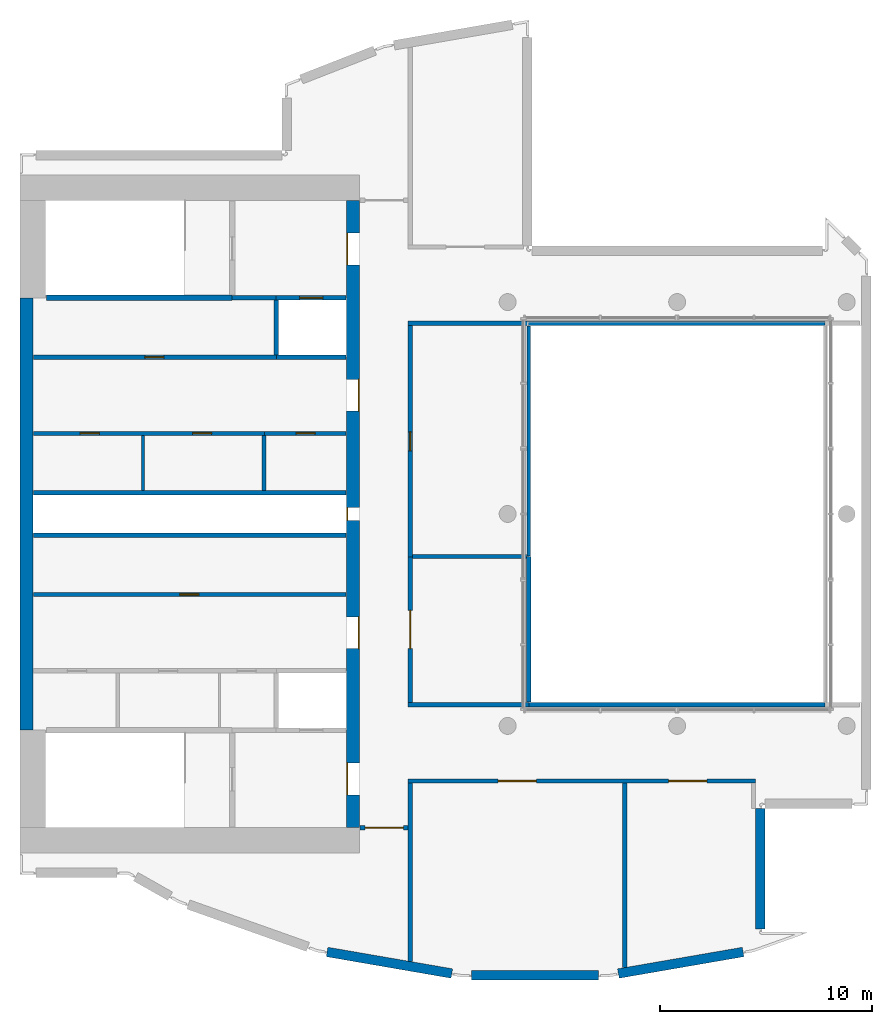
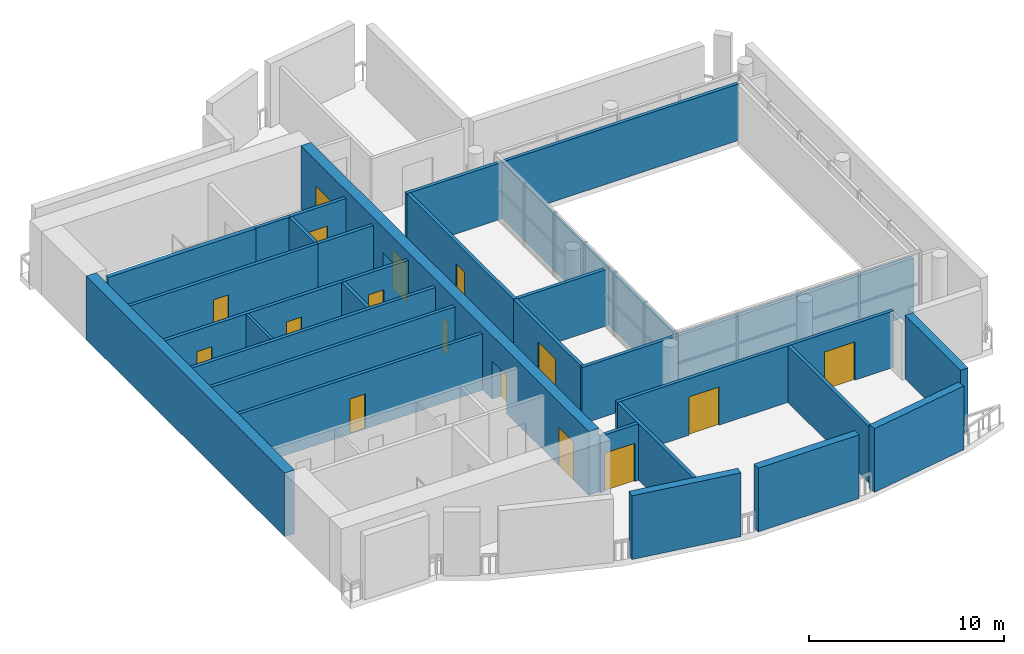
# One storey, part 4 of 6: 31 walls, 16 doors, 16 openings.
"""IFC4 building model written with IfcOpenShell, lengths in metres."""

from ifc_helpers import new_model, si_unit, direction, frame, frame_2d, origin, place, context, subcontext, project, spatial, rectangle, extrude, material, layer, layer_set, type_object, element, fill, save


model = new_model("IFC4")

# Units and contexts
model_context = context("Model", 3, precision=1e-05, world=origin(), true_north=direction((0.0, 1.0)))
body_context = subcontext(model_context, "Body", "Model", "MODEL_VIEW")
ifc_project = project(units=[si_unit("LENGTHUNIT", "METRE"), si_unit("AREAUNIT", "SQUARE_METRE"), si_unit("VOLUMEUNIT", "CUBIC_METRE"), si_unit("PLANEANGLEUNIT", "RADIAN"), si_unit("MASSUNIT", "GRAM", prefix="KILO")], contexts=[model_context])

# Site, building, storey
site_placement = place(None, origin())
site = spatial("IfcSite", under=ifc_project, at=site_placement, CompositionType="ELEMENT")
building_placement = place(site_placement, origin())
building = spatial("IfcBuilding", under=site, at=building_placement, Name="Cypress Arch Tower", CompositionType="ELEMENT")
storey_placement = place(building_placement, frame((0.0, 0.0, 355.0)))
storey = spatial("IfcBuildingStorey", under=building, at=storey_placement, Name="L81", CompositionType="ELEMENT", Elevation=355.0)

# Walls
ifc_material_1 = material(Name="Brick (red buff blend)", Category="masonry")
ifc_layer_1 = layer(ifc_material_1, 0.449951171875)
ifc_layer_set_1 = layer_set([ifc_layer_1], Name="Brick belt wall BW450-B")
wall_type_1 = type_object("IfcWallType", Name="Brick belt wall BW450-B", PredefinedType="SOLIDWALL", material=ifc_layer_set_1)
wall_1_placement = place(storey_placement, frame((-15.5185546875, -20.6669921875, 0.0), z_axis=(0.0, 0.0, 1.0), x_axis=(0.985396567064, -0.170275088074, 0.0)))
element("IfcWall", 1, at=wall_1_placement, inside=storey, type_object=wall_type_1, Name="Brick wall L81 K03.0", PredefinedType="SOLIDWALL", context=body_context, shape_type="SweptSolid", body=[
    extrude(rectangle(XDim=5.97314453125, YDim=0.449951171875, at=frame_2d((2.986572265625, 0.0))), origin(), (0.0, 0.0, 1.0), 4.0),
])
wall_2_placement = place(storey_placement, frame((-8.6943359375, -21.764892578125, 0.0), z_axis=(0.0, 0.0, 1.0), x_axis=(1.0, 0.0, 0.0)))
element("IfcWall", 2, at=wall_2_placement, inside=storey, type_object=wall_type_1, Name="Brick wall L81 K04.0", PredefinedType="SOLIDWALL", context=body_context, shape_type="SweptSolid", body=[
    extrude(rectangle(XDim=5.98193359375, YDim=0.449951171875, at=frame_2d((2.990966796875, 0.0))), origin(), (0.0, 0.0, 1.0), 4.0),
])
wall_3_placement = place(storey_placement, frame((-1.77392578125, -21.68505859375, 0.0), z_axis=(0.0, 0.0, 1.0), x_axis=(0.985403424257, 0.170235400142, 0.0)))
element("IfcWall", 3, at=wall_3_placement, inside=storey, type_object=wall_type_1, Name="Brick wall L81 K05.0", PredefinedType="SOLIDWALL", context=body_context, shape_type="SweptSolid", body=[
    extrude(rectangle(XDim=5.97314453125, YDim=0.449951171875, at=frame_2d((2.986572265625, 0.0))), origin(), (0.0, 0.0, 1.0), 4.0),
])
wall_4_placement = place(storey_placement, frame((4.925048828125, -19.590087890625, 0.0), z_axis=(0.0, 0.0, 1.0), x_axis=(0.0, 1.0, 0.0)))
element("IfcWall", 4, at=wall_4_placement, inside=storey, type_object=wall_type_1, Name="Brick wall L81 K08.0", PredefinedType="SOLIDWALL", context=body_context, shape_type="SweptSolid", body=[
    extrude(rectangle(XDim=5.7001953125, YDim=0.449951171875, at=frame_2d((2.85009765625, 0.0))), origin(), (0.0, 0.0, 1.0), 4.0),
])

# Wall, openings, doors
ifc_material_2 = material(Name="Concrete C50/60", Category="concrete")
ifc_layer_2 = layer(ifc_material_2, 0.60009765625)
ifc_layer_set_2 = layer_set([ifc_layer_2], Name="Core wall CW600 C50/60")
wall_type_2 = type_object("IfcWallType", Name="Core wall CW600 C50/60", PredefinedType="SHEAR", material=ifc_layer_set_2)
wall_5_placement = place(storey_placement, frame((-14.300048828125, -14.800048828125, 0.0), z_axis=(0.0, 0.0, 1.0), x_axis=(0.0, 1.0, 0.0)))
wall_5 = element("IfcWall", 5, at=wall_5_placement, inside=storey, type_object=wall_type_2, Name="Core wall", PredefinedType="SHEAR", context=body_context, shape_type="SweptSolid", body=[
    extrude(rectangle(XDim=29.60009765625, YDim=0.60009765625, at=frame_2d((14.800048828125, 0.0))), origin(), (0.0, 0.0, 1.0), 4.0),
])
opening_1_placement = place(wall_5_placement, frame((1.550048828125, 0.0, 0.0)))
opening_1 = element("IfcOpeningElement", 6, at=opening_1_placement, cuts=wall_5, Name="Opening D07", PredefinedType="OPENING", context=body_context, shape_type="SweptSolid", body=[
    extrude(rectangle(XDim=1.5, YDim=2.39990234375, at=frame_2d((0.75, 1.199951171875))), frame((0.0, 0.31005859375, 0.0), z_axis=(0.0, -1.0, 0.0), x_axis=(1.0, 0.0, 0.0)), (0.0, 0.0, 1.0), 0.6201171875),
])
opening_2_placement = place(wall_5_placement, frame((26.550048828125, 0.0, 0.0)))
opening_2 = element("IfcOpeningElement", 7, at=opening_2_placement, cuts=wall_5, Name="Opening D07", PredefinedType="OPENING", context=body_context, shape_type="SweptSolid", body=[
    extrude(rectangle(XDim=1.5, YDim=2.39990234375, at=frame_2d((0.75, 1.199951171875))), frame((0.0, 0.31005859375, 0.0), z_axis=(0.0, -1.0, 0.0), x_axis=(1.0, 0.0, 0.0)), (0.0, 0.0, 1.0), 0.6201171875),
])
opening_3_placement = place(wall_5_placement, frame((8.449951171875, 0.0, 0.0)))
opening_3 = element("IfcOpeningElement", 8, at=opening_3_placement, cuts=wall_5, Name="Opening D07", PredefinedType="OPENING", context=body_context, shape_type="SweptSolid", body=[
    extrude(rectangle(XDim=1.5, YDim=2.39990234375, at=frame_2d((0.75, 1.199951171875))), frame((0.0, 0.31005859375, 0.0), z_axis=(0.0, -1.0, 0.0), x_axis=(1.0, 0.0, 0.0)), (0.0, 0.0, 1.0), 0.6201171875),
])
opening_4_placement = place(wall_5_placement, frame((19.64990234375, 0.0, 0.0)))
opening_4 = element("IfcOpeningElement", 9, at=opening_4_placement, cuts=wall_5, Name="Opening D07", PredefinedType="OPENING", context=body_context, shape_type="SweptSolid", body=[
    extrude(rectangle(XDim=1.5, YDim=2.39990234375, at=frame_2d((0.75, 1.199951171875))), frame((0.0, 0.31005859375, 0.0), z_axis=(0.0, -1.0, 0.0), x_axis=(1.0, 0.0, 0.0)), (0.0, 0.0, 1.0), 0.6201171875),
])
opening_5_placement = place(wall_5_placement, frame((14.5, 0.0, 0.0)))
opening_5 = element("IfcOpeningElement", 10, at=opening_5_placement, cuts=wall_5, Name="Opening D08", PredefinedType="OPENING", context=body_context, shape_type="SweptSolid", body=[
    extrude(rectangle(XDim=0.60009765625, YDim=2.0, at=frame_2d((0.300048828125, 1.0))), frame((0.0, 0.31005859375, 0.0), z_axis=(0.0, -1.0, 0.0), x_axis=(1.0, 0.0, 0.0)), (0.0, 0.0, 1.0), 0.6201171875),
])
ifc_material_3 = material(Name="Steel framed glazed door, fire resisting", Category="steel")
door_type_1 = type_object("IfcDoorType", Name="Lobby door D07 1500x2400", OperationType="DOUBLE_DOOR_SINGLE_SWING", PredefinedType="DOOR", material=ifc_material_3)
door_1_placement = place(opening_1_placement, origin())
door_1 = element("IfcDoor", 11, at=door_1_placement, inside=storey, type_object=door_type_1, Name="Lobby door", OperationType="DOUBLE_DOOR_SINGLE_SWING", OverallHeight=2.39990234375, OverallWidth=1.5, PredefinedType="DOOR", context=body_context, shape_type="SweptSolid", body=[
    extrude(rectangle(XDim=1.5, YDim=2.39990234375, at=frame_2d((0.75, 1.199951171875))), frame((0.0, 0.294921875, 0.0), z_axis=(0.0, -1.0, 0.0), x_axis=(1.0, 0.0, 0.0)), (0.0, 0.0, 1.0), 0.050048828125),
])
fill(opening_1, door_1)
door_2_placement = place(opening_2_placement, origin())
door_2 = element("IfcDoor", 12, at=door_2_placement, inside=storey, type_object=door_type_1, Name="Lobby door", OperationType="DOUBLE_DOOR_SINGLE_SWING", OverallHeight=2.39990234375, OverallWidth=1.5, PredefinedType="DOOR", context=body_context, shape_type="SweptSolid", body=[
    extrude(rectangle(XDim=1.5, YDim=2.39990234375, at=frame_2d((0.75, 1.199951171875))), frame((0.0, 0.294921875, 0.0), z_axis=(0.0, -1.0, 0.0), x_axis=(1.0, 0.0, 0.0)), (0.0, 0.0, 1.0), 0.050048828125),
])
fill(opening_2, door_2)
door_3_placement = place(opening_3_placement, origin())
door_3 = element("IfcDoor", 13, at=door_3_placement, inside=storey, type_object=door_type_1, Name="Lobby door", OperationType="DOUBLE_DOOR_SINGLE_SWING", OverallHeight=2.39990234375, OverallWidth=1.5, PredefinedType="DOOR", context=body_context, shape_type="SweptSolid", body=[
    extrude(rectangle(XDim=1.5, YDim=2.39990234375, at=frame_2d((0.75, 1.199951171875))), frame((0.0, -0.2451171875, 0.0), z_axis=(0.0, -1.0, 0.0), x_axis=(1.0, 0.0, 0.0)), (0.0, 0.0, 1.0), 0.050048828125),
])
fill(opening_3, door_3)
door_4_placement = place(opening_4_placement, origin())
door_4 = element("IfcDoor", 14, at=door_4_placement, inside=storey, type_object=door_type_1, Name="Lobby door", OperationType="DOUBLE_DOOR_SINGLE_SWING", OverallHeight=2.39990234375, OverallWidth=1.5, PredefinedType="DOOR", context=body_context, shape_type="SweptSolid", body=[
    extrude(rectangle(XDim=1.5, YDim=2.39990234375, at=frame_2d((0.75, 1.199951171875))), frame((0.0, -0.2451171875, 0.0), z_axis=(0.0, -1.0, 0.0), x_axis=(1.0, 0.0, 0.0)), (0.0, 0.0, 1.0), 0.050048828125),
])
fill(opening_4, door_4)
ifc_material_4 = material(Name="Steel access door, fire resisting", Category="steel")
door_type_2 = type_object("IfcDoorType", Name="Riser access door D08 600x2000", OperationType="SINGLE_SWING_LEFT", PredefinedType="DOOR", material=ifc_material_4)
door_5_placement = place(opening_5_placement, origin())
door_5 = element("IfcDoor", 15, at=door_5_placement, inside=storey, type_object=door_type_2, Name="Riser access door", OperationType="SINGLE_SWING_RIGHT", OverallHeight=2.0, OverallWidth=0.60009765625, PredefinedType="DOOR", context=body_context, shape_type="SweptSolid", body=[
    extrude(rectangle(XDim=0.60009765625, YDim=2.0, at=frame_2d((0.300048828125, 1.0))), frame((0.0, 0.294921875, 0.0), z_axis=(0.0, -1.0, 0.0), x_axis=(1.0, 0.0, 0.0)), (0.0, 0.0, 1.0), 0.050048828125),
])
fill(opening_5, door_5)

# Wall
wall_6_placement = place(storey_placement, frame((-29.699951171875, -10.199951171875, 0.0), z_axis=(0.0, 0.0, 1.0), x_axis=(0.0, 1.0, 0.0)))
element("IfcWall", 16, at=wall_6_placement, inside=storey, type_object=wall_type_2, Name="Core wall", PredefinedType="SHEAR", context=body_context, shape_type="SweptSolid", body=[
    extrude(rectangle(XDim=20.39990234375, YDim=0.60009765625, at=frame_2d((10.199951171875, 0.0))), origin(), (0.0, 0.0, 1.0), 4.0),
])

# Wall, opening, door
ifc_material_5 = material(Name="Concrete blockwork, plastered, rated", Category="masonry")
ifc_layer_3 = layer(ifc_material_5, 0.199951171875)
ifc_layer_set_3 = layer_set([ifc_layer_3], Name="Corridor wall FW200")
wall_type_3 = type_object("IfcWallType", Name="Corridor wall FW200", PredefinedType="PARTITIONING", material=ifc_layer_set_3)
wall_7_placement = place(storey_placement, frame((-29.3701171875, -3.800048828125, 0.0), z_axis=(0.0, 0.0, 1.0), x_axis=(1.0, 0.0, 0.0)))
wall_7 = element("IfcWall", 17, at=wall_7_placement, inside=storey, type_object=wall_type_3, Name="Corridor wall", PredefinedType="PARTITIONING", context=body_context, shape_type="SweptSolid", body=[
    extrude(rectangle(XDim=14.740234375, YDim=0.199951171875, at=frame_2d((7.3701171875, 0.0))), origin(), (0.0, 0.0, 1.0), 3.548095703125),
])
opening_6_placement = place(wall_7_placement, frame((6.89990234375, 0.0, 0.0)))
opening_6 = element("IfcOpeningElement", 18, at=opening_6_placement, cuts=wall_7, Name="Opening D05", PredefinedType="OPENING", context=body_context, shape_type="SweptSolid", body=[
    extrude(rectangle(XDim=0.89990234375, YDim=2.199951171875, at=frame_2d((0.449951171875, 1.10009765625))), frame((0.0, 0.10986328125, 0.0), z_axis=(0.0, -1.0, 0.0), x_axis=(1.0, 0.0, 0.0)), (0.0, 0.0, 1.0), 0.219970703125),
])
ifc_material_6 = material(Name="Timber flush door", Category="wood")
door_type_3 = type_object("IfcDoorType", Name="Service door D05 900x2200", OperationType="SINGLE_SWING_LEFT", PredefinedType="DOOR", material=ifc_material_6)
door_6_placement = place(opening_6_placement, origin())
door_6 = element("IfcDoor", 19, at=door_6_placement, inside=storey, type_object=door_type_3, Name="Service door", OperationType="SINGLE_SWING_LEFT", OverallHeight=2.199951171875, OverallWidth=0.89990234375, PredefinedType="DOOR", context=body_context, shape_type="SweptSolid", body=[
    extrude(rectangle(XDim=0.89990234375, YDim=2.199951171875, at=frame_2d((0.449951171875, 1.10009765625))), frame((0.0, 0.02490234375, 0.0), z_axis=(0.0, -1.0, 0.0), x_axis=(1.0, 0.0, 0.0)), (0.0, 0.0, 1.0), 0.050048828125),
])
fill(opening_6, door_6)

# Wall, openings, doors
wall_8_placement = place(storey_placement, frame((-29.3701171875, 3.800048828125, 0.0), z_axis=(0.0, 0.0, 1.0), x_axis=(1.0, 0.0, 0.0)))
wall_8 = element("IfcWall", 20, at=wall_8_placement, inside=storey, type_object=wall_type_3, Name="Corridor wall", PredefinedType="PARTITIONING", context=body_context, shape_type="SweptSolid", body=[
    extrude(rectangle(XDim=10.89013671875, YDim=0.199951171875, at=frame_2d((5.445068359375, 0.0))), origin(), (0.0, 0.0, 1.0), 3.548095703125),
])
opening_7_placement = place(wall_8_placement, frame((2.199951171875, 0.0, 0.0)))
opening_7 = element("IfcOpeningElement", 21, at=opening_7_placement, cuts=wall_8, Name="Opening D05", PredefinedType="OPENING", context=body_context, shape_type="SweptSolid", body=[
    extrude(rectangle(XDim=0.89990234375, YDim=2.199951171875, at=frame_2d((0.449951171875, 1.10009765625))), frame((0.0, 0.10986328125, 0.0), z_axis=(0.0, -1.0, 0.0), x_axis=(1.0, 0.0, 0.0)), (0.0, 0.0, 1.0), 0.219970703125),
])
opening_8_placement = place(wall_8_placement, frame((7.5, 0.0, 0.0)))
opening_8 = element("IfcOpeningElement", 22, at=opening_8_placement, cuts=wall_8, Name="Opening D05", PredefinedType="OPENING", context=body_context, shape_type="SweptSolid", body=[
    extrude(rectangle(XDim=0.89990234375, YDim=2.199951171875, at=frame_2d((0.449951171875, 1.10009765625))), frame((0.0, 0.10986328125, 0.0), z_axis=(0.0, -1.0, 0.0), x_axis=(1.0, 0.0, 0.0)), (0.0, 0.0, 1.0), 0.219970703125),
])
door_7_placement = place(opening_7_placement, origin())
door_7 = element("IfcDoor", 23, at=door_7_placement, inside=storey, type_object=door_type_3, Name="Service door", OperationType="SINGLE_SWING_LEFT", OverallHeight=2.199951171875, OverallWidth=0.89990234375, PredefinedType="DOOR", context=body_context, shape_type="SweptSolid", body=[
    extrude(rectangle(XDim=0.89990234375, YDim=2.199951171875, at=frame_2d((0.449951171875, 1.10009765625))), frame((0.0, 0.02490234375, 0.0), z_axis=(0.0, -1.0, 0.0), x_axis=(1.0, 0.0, 0.0)), (0.0, 0.0, 1.0), 0.050048828125),
])
fill(opening_7, door_7)
door_8_placement = place(opening_8_placement, origin())
door_8 = element("IfcDoor", 24, at=door_8_placement, inside=storey, type_object=door_type_3, Name="Service door", OperationType="SINGLE_SWING_RIGHT", OverallHeight=2.199951171875, OverallWidth=0.89990234375, PredefinedType="DOOR", context=body_context, shape_type="SweptSolid", body=[
    extrude(rectangle(XDim=0.89990234375, YDim=2.199951171875, at=frame_2d((0.449951171875, 1.10009765625))), frame((0.0, 0.02490234375, 0.0), z_axis=(0.0, -1.0, 0.0), x_axis=(1.0, 0.0, 0.0)), (0.0, 0.0, 1.0), 0.050048828125),
])
fill(opening_8, door_8)

# Wall, opening, door
wall_9_placement = place(storey_placement, frame((-29.3701171875, 7.39990234375, 0.0), z_axis=(0.0, 0.0, 1.0), x_axis=(1.0, 0.0, 0.0)))
wall_9 = element("IfcWall", 25, at=wall_9_placement, inside=storey, type_object=wall_type_3, Name="Corridor wall", PredefinedType="PARTITIONING", context=body_context, shape_type="SweptSolid", body=[
    extrude(rectangle(XDim=11.47021484375, YDim=0.199951171875, at=frame_2d((5.735107421875, 0.0))), origin(), (0.0, 0.0, 1.0), 3.548095703125),
])
opening_9_placement = place(wall_9_placement, frame((5.25, 0.0, 0.0)))
opening_9 = element("IfcOpeningElement", 26, at=opening_9_placement, cuts=wall_9, Name="Opening D05", PredefinedType="OPENING", context=body_context, shape_type="SweptSolid", body=[
    extrude(rectangle(XDim=0.89990234375, YDim=2.199951171875, at=frame_2d((0.449951171875, 1.10009765625))), frame((0.0, 0.10986328125, 0.0), z_axis=(0.0, -1.0, 0.0), x_axis=(1.0, 0.0, 0.0)), (0.0, 0.0, 1.0), 0.219970703125),
])
door_9_placement = place(opening_9_placement, origin())
door_9 = element("IfcDoor", 27, at=door_9_placement, inside=storey, type_object=door_type_3, Name="Service door", OperationType="SINGLE_SWING_LEFT", OverallHeight=2.199951171875, OverallWidth=0.89990234375, PredefinedType="DOOR", context=body_context, shape_type="SweptSolid", body=[
    extrude(rectangle(XDim=0.89990234375, YDim=2.199951171875, at=frame_2d((0.449951171875, 1.10009765625))), frame((0.0, 0.02490234375, 0.0), z_axis=(0.0, -1.0, 0.0), x_axis=(1.0, 0.0, 0.0)), (0.0, 0.0, 1.0), 0.050048828125),
])
fill(opening_9, door_9)

# Wall
wall_10_placement = place(storey_placement, frame((-20.0, 10.199951171875, 0.0), z_axis=(0.0, 0.0, 1.0), x_axis=(1.0, 0.0, 0.0)))
element("IfcWall", 28, at=wall_10_placement, inside=storey, type_object=wall_type_3, Name="Corridor wall", PredefinedType="PARTITIONING", context=body_context, shape_type="SweptSolid", body=[
    extrude(rectangle(XDim=2.080078125, YDim=0.199951171875, at=frame_2d((1.0400390625, 0.0))), origin(), (0.0, 0.0, 1.0), 3.548095703125),
])

# Wall, opening, door
wall_11_placement = place(storey_placement, frame((-11.60009765625, -2.02001953125, 0.0), z_axis=(0.0, 0.0, 1.0), x_axis=(0.0, 1.0, 0.0)))
wall_11 = element("IfcWall", 29, at=wall_11_placement, inside=storey, type_object=wall_type_3, Name="Corridor wall", PredefinedType="PARTITIONING", context=body_context, shape_type="SweptSolid", body=[
    extrude(rectangle(XDim=10.9189453125, YDim=0.199951171875, at=frame_2d((5.45947265625, 0.0))), origin(), (0.0, 0.0, 1.0), 3.548095703125),
])
opening_10_placement = place(wall_11_placement, frame((5.0, 0.0, 0.0)))
opening_10 = element("IfcOpeningElement", 30, at=opening_10_placement, cuts=wall_11, Name="Opening D05", PredefinedType="OPENING", context=body_context, shape_type="SweptSolid", body=[
    extrude(rectangle(XDim=0.89990234375, YDim=2.199951171875, at=frame_2d((0.449951171875, 1.10009765625))), frame((0.0, 0.10986328125, 0.0), z_axis=(0.0, -1.0, 0.0), x_axis=(1.0, 0.0, 0.0)), (0.0, 0.0, 1.0), 0.219970703125),
])
door_10_placement = place(opening_10_placement, origin())
door_10 = element("IfcDoor", 31, at=door_10_placement, inside=storey, type_object=door_type_3, Name="Service door", OperationType="SINGLE_SWING_RIGHT", OverallHeight=2.199951171875, OverallWidth=0.89990234375, PredefinedType="DOOR", context=body_context, shape_type="SweptSolid", body=[
    extrude(rectangle(XDim=0.89990234375, YDim=2.199951171875, at=frame_2d((0.449951171875, 1.10009765625))), frame((0.0, 0.02490234375, 0.0), z_axis=(0.0, -1.0, 0.0), x_axis=(1.0, 0.0, 0.0)), (0.0, 0.0, 1.0), 0.050048828125),
])
fill(opening_10, door_10)

# Walls
wall_12_placement = place(storey_placement, frame((-11.698974609375, 9.0, 0.0), z_axis=(0.0, 0.0, 1.0), x_axis=(1.0, 0.0, 0.0)))
element("IfcWall", 32, at=wall_12_placement, inside=storey, type_object=wall_type_3, Name="Corridor wall", PredefinedType="PARTITIONING", context=body_context, shape_type="SweptSolid", body=[
    extrude(rectangle(XDim=19.678955078125, YDim=0.199951171875, at=frame_2d((9.83935546875, 0.0))), origin(), (0.0, 0.0, 1.0), 3.548095703125),
])
wall_13_placement = place(storey_placement, frame((-5.97998046875, -9.0, 0.0), z_axis=(0.0, 0.0, 1.0), x_axis=(1.0, 0.0, 0.0)))
element("IfcWall", 33, at=wall_13_placement, inside=storey, type_object=wall_type_3, Name="Corridor wall", PredefinedType="PARTITIONING", context=body_context, shape_type="SweptSolid", body=[
    extrude(rectangle(XDim=13.9599609375, YDim=0.199951171875, at=frame_2d((6.97998046875, 0.0))), origin(), (0.0, 0.0, 1.0), 3.548095703125),
])
ifc_material_7 = material(Name="Blockwork, plastered both sides", Category="masonry")
ifc_layer_4 = layer(ifc_material_7, 0.14990234375)
ifc_layer_set_4 = layer_set([ifc_layer_4], Name="Partition PW150")
wall_type_4 = type_object("IfcWallType", Name="Partition PW150", PredefinedType="PARTITIONING", material=ifc_layer_set_4)
wall_14_placement = place(storey_placement, frame((-24.199951171875, 1.10009765625, 0.0), z_axis=(0.0, 0.0, 1.0), x_axis=(0.0, 1.0, 0.0)))
element("IfcWall", 34, at=wall_14_placement, inside=storey, type_object=wall_type_4, Name="Partition", PredefinedType="PARTITIONING", context=body_context, shape_type="SweptSolid", body=[
    extrude(rectangle(XDim=2.599853515625, YDim=0.14990234375, at=frame_2d((1.2998046875, 0.0))), origin(), (0.0, 0.0, 1.0), 3.548095703125),
])
wall_15_placement = place(storey_placement, frame((-6.0, -1.97998046875, 0.0), z_axis=(0.0, 0.0, 1.0), x_axis=(0.0, 1.0, 0.0)))
element("IfcWall", 35, at=wall_15_placement, inside=storey, type_object=wall_type_4, Name="Partition", PredefinedType="PARTITIONING", context=body_context, shape_type="SweptSolid", body=[
    extrude(rectangle(XDim=10.85986328125, YDim=0.14990234375, at=frame_2d((5.429931640625, 0.0))), origin(), (0.0, 0.0, 1.0), 3.548095703125),
])
ifc_material_8 = material(Name="Reinforced blockwork, plastered, rated", Category="masonry")
ifc_layer_5 = layer(ifc_material_8, 0.199951171875)
ifc_layer_set_5 = layer_set([ifc_layer_5], Name="Plant and riser wall PL200")
wall_type_5 = type_object("IfcWallType", Name="Plant and riser wall PL200", PredefinedType="PARTITIONING", material=ifc_layer_set_5)
for number, where, z_axis, x_axis, name in (
    (36, (-29.3701171875, -1.0, 0.0), (0.0, 0.0, 1.0), (1.0, 0.0, 0.0), "Plant and riser wall"),
    (37, (-29.3701171875, 1.0, 0.0), (0.0, 0.0, 1.0), (1.0, 0.0, 0.0), "Plant and riser wall"),
):
    element("IfcWall", number, at=place(storey_placement, frame(where, z_axis=z_axis, x_axis=x_axis)), inside=storey, type_object=wall_type_5, Name=name, PredefinedType="PARTITIONING", context=body_context, shape_type="SweptSolid", body=[
        extrude(rectangle(XDim=14.740234375, YDim=0.199951171875, at=frame_2d((7.3701171875, 0.0))), origin(), (0.0, 0.0, 1.0), 3.548095703125),
    ])

# Wall, opening, door
wall_16_placement = place(storey_placement, frame((-18.47998046875, 3.800048828125, 0.0), z_axis=(0.0, 0.0, 1.0), x_axis=(1.0, 0.0, 0.0)))
wall_16 = element("IfcWall", 38, at=wall_16_placement, inside=storey, type_object=wall_type_5, Name="Plant and riser wall", PredefinedType="PARTITIONING", context=body_context, shape_type="SweptSolid", body=[
    extrude(rectangle(XDim=3.85009765625, YDim=0.199951171875, at=frame_2d((1.925048828125, 0.0))), origin(), (0.0, 0.0, 1.0), 3.548095703125),
])
opening_11_placement = place(wall_16_placement, frame((1.5, 0.0, 0.0)))
opening_11 = element("IfcOpeningElement", 39, at=opening_11_placement, cuts=wall_16, Name="Opening D05", PredefinedType="OPENING", context=body_context, shape_type="SweptSolid", body=[
    extrude(rectangle(XDim=0.89990234375, YDim=2.199951171875, at=frame_2d((0.449951171875, 1.10009765625))), frame((0.0, 0.10986328125, 0.0), z_axis=(0.0, -1.0, 0.0), x_axis=(1.0, 0.0, 0.0)), (0.0, 0.0, 1.0), 0.219970703125),
])
door_11_placement = place(opening_11_placement, origin())
door_11 = element("IfcDoor", 40, at=door_11_placement, inside=storey, type_object=door_type_3, Name="Service door", OperationType="SINGLE_SWING_RIGHT", OverallHeight=2.199951171875, OverallWidth=0.89990234375, PredefinedType="DOOR", context=body_context, shape_type="SweptSolid", body=[
    extrude(rectangle(XDim=0.89990234375, YDim=2.199951171875, at=frame_2d((0.449951171875, 1.10009765625))), frame((0.0, 0.02490234375, 0.0), z_axis=(0.0, -1.0, 0.0), x_axis=(1.0, 0.0, 0.0)), (0.0, 0.0, 1.0), 0.050048828125),
])
fill(opening_11, door_11)

# Wall
wall_17_placement = place(storey_placement, frame((-18.5, 1.10009765625, 0.0), z_axis=(0.0, 0.0, 1.0), x_axis=(0.0, 1.0, 0.0)))
element("IfcWall", 41, at=wall_17_placement, inside=storey, type_object=wall_type_5, Name="Plant and riser wall", PredefinedType="PARTITIONING", context=body_context, shape_type="SweptSolid", body=[
    extrude(rectangle(XDim=2.599853515625, YDim=0.199951171875, at=frame_2d((1.2998046875, 0.0))), origin(), (0.0, 0.0, 1.0), 3.548095703125),
])

# Wall, opening, door
wall_18_placement = place(storey_placement, frame((-13.969970703125, -14.800048828125, 0.0), z_axis=(0.0, 0.0, 1.0), x_axis=(1.0, 0.0, 0.0)))
wall_18 = element("IfcWall", 42, at=wall_18_placement, inside=storey, type_object=wall_type_5, Name="Plant and riser wall", PredefinedType="PARTITIONING", context=body_context, shape_type="SweptSolid", body=[
    extrude(rectangle(XDim=2.27001953125, YDim=0.199951171875, at=frame_2d((1.135009765625, 0.0))), origin(), (0.0, 0.0, 1.0), 3.548095703125),
])
opening_12_placement = place(wall_18_placement, frame((0.25, 0.0, 0.0)))
opening_12 = element("IfcOpeningElement", 43, at=opening_12_placement, cuts=wall_18, Name="Opening D09", PredefinedType="OPENING", context=body_context, shape_type="SweptSolid", body=[
    extrude(rectangle(XDim=1.800048828125, YDim=2.39990234375, at=frame_2d((0.89990234375, 1.199951171875))), frame((0.0, 0.10986328125, 0.0), z_axis=(0.0, -1.0, 0.0), x_axis=(1.0, 0.0, 0.0)), (0.0, 0.0, 1.0), 0.219970703125),
])
ifc_material_9 = material(Name="Steel door, fire resisting", Category="steel")
door_type_4 = type_object("IfcDoorType", Name="Plant room door D09 1800x2400", OperationType="DOUBLE_DOOR_SINGLE_SWING", PredefinedType="DOOR", material=ifc_material_9)
door_12_placement = place(opening_12_placement, origin())
door_12 = element("IfcDoor", 44, at=door_12_placement, inside=storey, type_object=door_type_4, Name="Plant room door", OperationType="DOUBLE_DOOR_SINGLE_SWING", OverallHeight=2.39990234375, OverallWidth=1.800048828125, PredefinedType="DOOR", context=body_context, shape_type="SweptSolid", body=[
    extrude(rectangle(XDim=1.800048828125, YDim=2.39990234375, at=frame_2d((0.89990234375, 1.199951171875))), frame((0.0, 0.02490234375, 0.0), z_axis=(0.0, -1.0, 0.0), x_axis=(1.0, 0.0, 0.0)), (0.0, 0.0, 1.0), 0.050048828125),
])
fill(opening_12, door_12)

# Wall
wall_19_placement = place(storey_placement, frame((-11.60009765625, -21.11572265625, 0.0), z_axis=(0.0, 0.0, 1.0), x_axis=(0.0, 1.0, 0.0)))
element("IfcWall", 45, at=wall_19_placement, inside=storey, type_object=wall_type_5, Name="Plant and riser wall", PredefinedType="PARTITIONING", context=body_context, shape_type="SweptSolid", body=[
    extrude(rectangle(XDim=8.414794921875, YDim=0.199951171875, at=frame_2d((4.20751953125, 0.0))), origin(), (0.0, 0.0, 1.0), 3.548095703125),
])

# Wall, opening, door
wall_20_placement = place(storey_placement, frame((-11.60009765625, -8.89892578125, 0.0), z_axis=(0.0, 0.0, 1.0), x_axis=(0.0, 1.0, 0.0)))
wall_20 = element("IfcWall", 46, at=wall_20_placement, inside=storey, type_object=wall_type_5, Name="Plant and riser wall", PredefinedType="PARTITIONING", context=body_context, shape_type="SweptSolid", body=[
    extrude(rectangle(XDim=6.87890625, YDim=0.199951171875, at=frame_2d((3.439453125, 0.0))), origin(), (0.0, 0.0, 1.0), 3.548095703125),
])
opening_13_placement = place(wall_20_placement, frame((2.550048828125, 0.0, 0.0)))
opening_13 = element("IfcOpeningElement", 47, at=opening_13_placement, cuts=wall_20, Name="Opening D09", PredefinedType="OPENING", context=body_context, shape_type="SweptSolid", body=[
    extrude(rectangle(XDim=1.800048828125, YDim=2.39990234375, at=frame_2d((0.89990234375, 1.199951171875))), frame((0.0, 0.10986328125, 0.0), z_axis=(0.0, -1.0, 0.0), x_axis=(1.0, 0.0, 0.0)), (0.0, 0.0, 1.0), 0.219970703125),
])
door_13_placement = place(opening_13_placement, origin())
door_13 = element("IfcDoor", 48, at=door_13_placement, inside=storey, type_object=door_type_4, Name="Plant room door", OperationType="DOUBLE_DOOR_SINGLE_SWING", OverallHeight=2.39990234375, OverallWidth=1.800048828125, PredefinedType="DOOR", context=body_context, shape_type="SweptSolid", body=[
    extrude(rectangle(XDim=1.800048828125, YDim=2.39990234375, at=frame_2d((0.89990234375, 1.199951171875))), frame((0.0, 0.02490234375, 0.0), z_axis=(0.0, -1.0, 0.0), x_axis=(1.0, 0.0, 0.0)), (0.0, 0.0, 1.0), 0.050048828125),
])
fill(opening_13, door_13)

# Wall
wall_21_placement = place(storey_placement, frame((-11.5, -2.0, 0.0), z_axis=(0.0, 0.0, 1.0), x_axis=(1.0, 0.0, 0.0)))
element("IfcWall", 49, at=wall_21_placement, inside=storey, type_object=wall_type_5, Name="Plant and riser wall", PredefinedType="PARTITIONING", context=body_context, shape_type="SweptSolid", body=[
    extrude(rectangle(XDim=5.39990234375, YDim=0.199951171875, at=frame_2d((2.699951171875, 0.0))), origin(), (0.0, 0.0, 1.0), 3.548095703125),
])

# Wall, openings, doors
wall_22_placement = place(storey_placement, frame((-11.698974609375, -12.60009765625, 0.0), z_axis=(0.0, 0.0, 1.0), x_axis=(1.0, 0.0, 0.0)))
wall_22 = element("IfcWall", 50, at=wall_22_placement, inside=storey, type_object=wall_type_5, Name="Plant and riser wall", PredefinedType="PARTITIONING", context=body_context, shape_type="SweptSolid", body=[
    extrude(rectangle(XDim=16.39794921875, YDim=0.199951171875, at=frame_2d((8.198974609375, 0.0))), origin(), (0.0, 0.0, 1.0), 3.548095703125),
])
opening_14_placement = place(wall_22_placement, frame((4.25, 0.0, 0.0)))
opening_14 = element("IfcOpeningElement", 51, at=opening_14_placement, cuts=wall_22, Name="Opening D09", PredefinedType="OPENING", context=body_context, shape_type="SweptSolid", body=[
    extrude(rectangle(XDim=1.800048828125, YDim=2.39990234375, at=frame_2d((0.89990234375, 1.199951171875))), frame((0.0, 0.10986328125, 0.0), z_axis=(0.0, -1.0, 0.0), x_axis=(1.0, 0.0, 0.0)), (0.0, 0.0, 1.0), 0.219970703125),
])
opening_15_placement = place(wall_22_placement, frame((12.300048828125, 0.0, 0.0)))
opening_15 = element("IfcOpeningElement", 52, at=opening_15_placement, cuts=wall_22, Name="Opening D09", PredefinedType="OPENING", context=body_context, shape_type="SweptSolid", body=[
    extrude(rectangle(XDim=1.800048828125, YDim=2.39990234375, at=frame_2d((0.89990234375, 1.199951171875))), frame((0.0, 0.10986328125, 0.0), z_axis=(0.0, -1.0, 0.0), x_axis=(1.0, 0.0, 0.0)), (0.0, 0.0, 1.0), 0.219970703125),
])
door_14_placement = place(opening_14_placement, origin())
door_14 = element("IfcDoor", 53, at=door_14_placement, inside=storey, type_object=door_type_4, Name="Plant room door", OperationType="DOUBLE_DOOR_SINGLE_SWING", OverallHeight=2.39990234375, OverallWidth=1.800048828125, PredefinedType="DOOR", context=body_context, shape_type="SweptSolid", body=[
    extrude(rectangle(XDim=1.800048828125, YDim=2.39990234375, at=frame_2d((0.89990234375, 1.199951171875))), frame((0.0, 0.02490234375, 0.0), z_axis=(0.0, -1.0, 0.0), x_axis=(1.0, 0.0, 0.0)), (0.0, 0.0, 1.0), 0.050048828125),
])
fill(opening_14, door_14)
door_15_placement = place(opening_15_placement, origin())
door_15 = element("IfcDoor", 54, at=door_15_placement, inside=storey, type_object=door_type_4, Name="Plant room door", OperationType="DOUBLE_DOOR_SINGLE_SWING", OverallHeight=2.39990234375, OverallWidth=1.800048828125, PredefinedType="DOOR", context=body_context, shape_type="SweptSolid", body=[
    extrude(rectangle(XDim=1.800048828125, YDim=2.39990234375, at=frame_2d((0.89990234375, 1.199951171875))), frame((0.0, 0.02490234375, 0.0), z_axis=(0.0, -1.0, 0.0), x_axis=(1.0, 0.0, 0.0)), (0.0, 0.0, 1.0), 0.050048828125),
])
fill(opening_15, door_15)

# Walls
wall_23_placement = place(storey_placement, frame((-11.698974609375, -9.0, 0.0), z_axis=(0.0, 0.0, 1.0), x_axis=(1.0, 0.0, 0.0)))
element("IfcWall", 55, at=wall_23_placement, inside=storey, type_object=wall_type_5, Name="Plant and riser wall", PredefinedType="PARTITIONING", context=body_context, shape_type="SweptSolid", body=[
    extrude(rectangle(XDim=5.718994140625, YDim=0.199951171875, at=frame_2d((2.859375, 0.0))), origin(), (0.0, 0.0, 1.0), 3.548095703125),
])
wall_24_placement = place(storey_placement, frame((-6.0, -8.8798828125, 0.0), z_axis=(0.0, 0.0, 1.0), x_axis=(0.0, 1.0, 0.0)))
element("IfcWall", 56, at=wall_24_placement, inside=storey, type_object=wall_type_5, Name="Plant and riser wall", PredefinedType="PARTITIONING", context=body_context, shape_type="SweptSolid", body=[
    extrude(rectangle(XDim=6.8798828125, YDim=0.199951171875, at=frame_2d((3.43994140625, 0.0))), origin(), (0.0, 0.0, 1.0), 3.548095703125),
])
wall_25_placement = place(storey_placement, frame((-1.47509765625, -21.405029296875, 0.0), z_axis=(0.0, 0.0, 1.0), x_axis=(0.0, 1.0, 0.0)))
element("IfcWall", 57, at=wall_25_placement, inside=storey, type_object=wall_type_5, Name="Plant and riser wall", PredefinedType="PARTITIONING", context=body_context, shape_type="SweptSolid", body=[
    extrude(rectangle(XDim=8.705078125, YDim=0.199951171875, at=frame_2d((4.3525390625, 0.0))), origin(), (0.0, 0.0, 1.0), 3.548095703125),
])
ifc_material_10 = material(Name="Concrete C50/60", Category="concrete")
ifc_layer_6 = layer(ifc_material_10, 0.199951171875)
ifc_layer_set_6 = layer_set([ifc_layer_6], Name="Shaft wall SH200")
wall_type_6 = type_object("IfcWallType", Name="Shaft wall SH200", PredefinedType="SHEAR", material=ifc_layer_set_6)
wall_26_placement = place(storey_placement, frame((-17.919921875, 7.5, 0.0), z_axis=(0.0, 0.0, 1.0), x_axis=(0.0, 1.0, 0.0)))
element("IfcWall", 58, at=wall_26_placement, inside=storey, type_object=wall_type_6, Name="Shaft wall", PredefinedType="SHEAR", context=body_context, shape_type="SweptSolid", body=[
    extrude(rectangle(XDim=2.60009765625, YDim=0.199951171875, at=frame_2d((1.300048828125, 0.0))), origin(), (0.0, 0.0, 1.0), 3.548095703125),
])
wall_27_placement = place(storey_placement, frame((-17.89990234375, 7.39990234375, 0.0), z_axis=(0.0, 0.0, 1.0), x_axis=(1.0, 0.0, 0.0)))
element("IfcWall", 59, at=wall_27_placement, inside=storey, type_object=wall_type_6, Name="Shaft wall", PredefinedType="SHEAR", context=body_context, shape_type="SweptSolid", body=[
    extrude(rectangle(XDim=3.27001953125, YDim=0.199951171875, at=frame_2d((1.635009765625, 0.0))), origin(), (0.0, 0.0, 1.0), 3.548095703125),
])

# Wall, opening, door
wall_28_placement = place(storey_placement, frame((-17.919921875, 10.199951171875, 0.0), z_axis=(0.0, 0.0, 1.0), x_axis=(1.0, 0.0, 0.0)))
wall_28 = element("IfcWall", 60, at=wall_28_placement, inside=storey, type_object=wall_type_6, Name="Shaft wall", PredefinedType="SHEAR", context=body_context, shape_type="SweptSolid", body=[
    extrude(rectangle(XDim=3.2900390625, YDim=0.199951171875, at=frame_2d((1.64501953125, 0.0))), origin(), (0.0, 0.0, 1.0), 3.548095703125),
])
opening_16_placement = place(wall_28_placement, frame((1.10009765625, 0.0, 0.0)))
opening_16 = element("IfcOpeningElement", 61, at=opening_16_placement, cuts=wall_28, Name="Opening LD-FL2", PredefinedType="OPENING", context=body_context, shape_type="SweptSolid", body=[
    extrude(rectangle(XDim=1.10009765625, YDim=2.199951171875, at=frame_2d((0.550048828125, 1.10009765625))), frame((0.0, 0.10986328125, 0.0), z_axis=(0.0, -1.0, 0.0), x_axis=(1.0, 0.0, 0.0)), (0.0, 0.0, 1.0), 0.219970703125),
])
ifc_material_11 = material(Name="Stainless steel centre-opening landing door, rated", Category="steel")
door_type_5 = type_object("IfcDoorType", Name="Lift landing door LD 1100x2200", OperationType="DOUBLE_DOOR_SLIDING", PredefinedType="DOOR", material=ifc_material_11)
door_16_placement = place(opening_16_placement, origin())
door_16 = element("IfcDoor", 62, at=door_16_placement, inside=storey, type_object=door_type_5, Name="Lift landing doors FL2", OperationType="DOUBLE_DOOR_SLIDING", OverallHeight=2.199951171875, OverallWidth=1.10009765625, PredefinedType="DOOR", context=body_context, shape_type="SweptSolid", body=[
    extrude(rectangle(XDim=1.10009765625, YDim=2.199951171875, at=frame_2d((0.550048828125, 1.10009765625))), frame((0.0, 0.02490234375, 0.0), z_axis=(0.0, -1.0, 0.0), x_axis=(1.0, 0.0, 0.0)), (0.0, 0.0, 1.0), 0.050048828125),
])
fill(opening_16, door_16)

# Wall
ifc_material_12 = material(Name="Concrete C50/60", Category="concrete")
ifc_layer_7 = layer(ifc_material_12, 0.25)
ifc_layer_set_7 = layer_set([ifc_layer_7], Name="Stair enclosure wall SW250")
wall_type_7 = type_object("IfcWallType", Name="Stair enclosure wall SW250", PredefinedType="SHEAR", material=ifc_layer_set_7)
wall_29_placement = place(storey_placement, frame((-28.77001953125, 10.199951171875, 0.0), z_axis=(0.0, 0.0, 1.0), x_axis=(1.0, 0.0, 0.0)))
element("IfcWall", 63, at=wall_29_placement, inside=storey, type_object=wall_type_7, Name="Stair enclosure wall", PredefinedType="SHEAR", context=body_context, shape_type="SweptSolid", body=[
    extrude(rectangle(XDim=8.77001953125, YDim=0.25, at=frame_2d((4.385009765625, 0.0))), origin(), (0.0, 0.0, 1.0), 3.548095703125),
])

save(model, "model.ifc")
